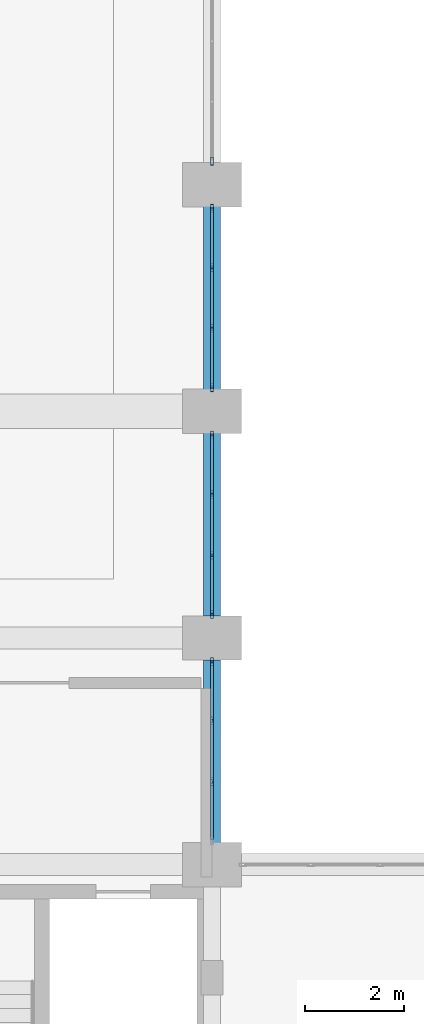
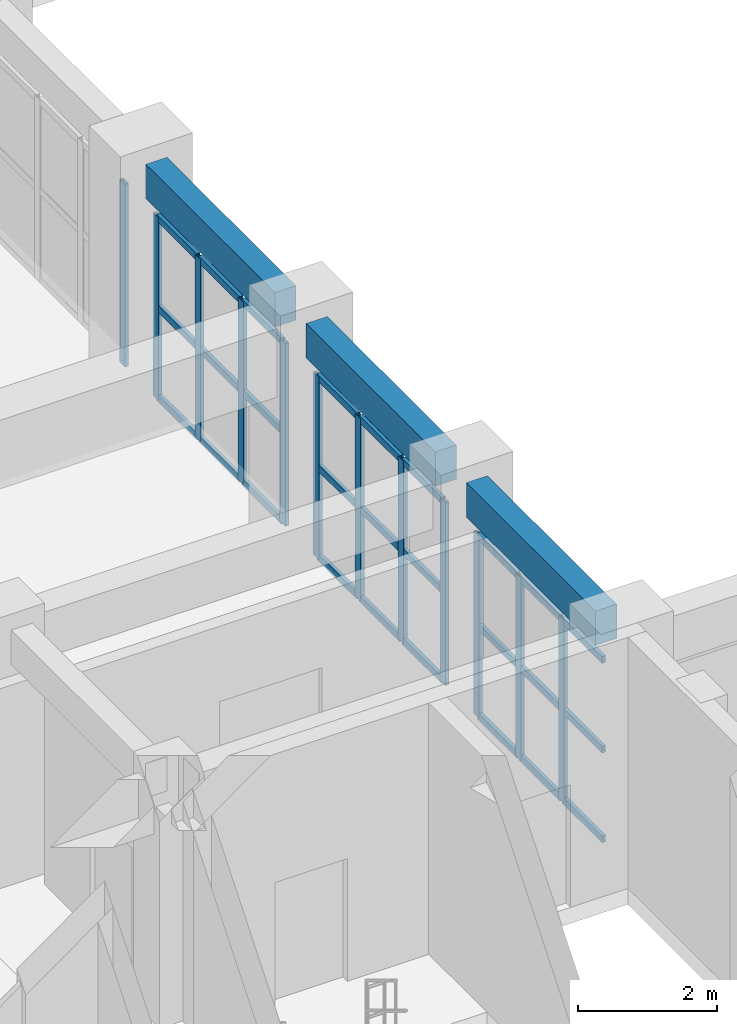
# One storey, part 63 of 116: 39 members, 3 beams, 4 elements without a shape of their own.
"""IFC4 building model written with IfcOpenShell, lengths in metres."""

from ifc_helpers import new_model, si_unit, direction, frame, origin, origin_2d, place, context, subcontext, project, spatial, rectangle, hollow_rectangle, extrude, material, layer, layer_set, material_profile, profile_set, type_object, element, aggregate, save


model = new_model("IFC4")

# Units and contexts
model_context = context("Model", 3, precision=1e-05, world=origin(), true_north=direction((0.0, 1.0)))
body_context = subcontext(model_context, "Body", "Model", "MODEL_VIEW")
ifc_project = project(units=[si_unit("LENGTHUNIT", "METRE"), si_unit("AREAUNIT", "SQUARE_METRE"), si_unit("VOLUMEUNIT", "CUBIC_METRE"), si_unit("PLANEANGLEUNIT", "RADIAN"), si_unit("MASSUNIT", "GRAM", prefix="KILO")], contexts=[model_context])

# Site, building, storey
site_placement = place(None, origin())
site = spatial("IfcSite", under=ifc_project, at=site_placement, CompositionType="ELEMENT")
building_placement = place(site_placement, origin())
building = spatial("IfcBuilding", under=site, at=building_placement, Name="Muzn Square Opera House", CompositionType="ELEMENT")
storey_placement = place(building_placement, frame((0.0, 0.0, 5.39990234375)))
storey = spatial("IfcBuildingStorey", under=building, at=storey_placement, Name="L01", CompositionType="ELEMENT", Elevation=5.39990234375)

# Curtain wall, members
ifc_material_1 = material(Name="Low-E laminated acoustic double glazing", Category="glass")
ifc_layer = layer(ifc_material_1, 0.159912109375, Name="Low-E laminated acoustic double glazing", Category="glass")
ifc_layer_set = layer_set([ifc_layer], Name="Low-E laminated acoustic double glazing")
curtain_wall_type = type_object("IfcCurtainWallType", Name="Glazed Curtain Wall EastVaultCourt 3700x3200", PredefinedType="USERDEFINED", material=ifc_layer_set)
curtain_wall_1_placement = place(storey_placement, origin())
curtain_wall_1 = element("IfcCurtainWall", 1, at=curtain_wall_1_placement, inside=storey, type_object=curtain_wall_type, Name="Glazed Curtain Wall CW-L01-040", ObjectType="GLAZED CURTAIN WALL", PredefinedType="USERDEFINED")
ifc_material_2 = material(Name="Anodised bronze aluminium 6063-T6", Category="metal")
ifc_material_profile_1 = material_profile(ifc_material_2, hollow_rectangle(XDim=0.06005859375, YDim=0.159912109375, WallThickness=0.00390625, at=origin_2d()), Name="ALU 160x60x4", Category="metal")
ifc_profile_set_1 = profile_set([ifc_material_profile_1], Name="Anodised bronze aluminium 6063-T6")
member_type_1 = type_object("IfcMemberType", Name="Curtain Wall Mullion 160x60", PredefinedType="MULLION", material=ifc_profile_set_1)
member_1_placement = place(storey_placement, frame((133.0, 32.88330078125, 0.0), z_axis=(0.0, 0.0, 1.0), x_axis=(-1.0, 0.0, 0.0)))
member_1 = element("IfcMember", 2, at=member_1_placement, type_object=member_type_1, Name="CW-EVC-37x32 mullion 2", PredefinedType="MULLION", context=body_context, shape_type="SweptSolid", body=[
    extrude(hollow_rectangle(XDim=0.06005859375, YDim=0.159912109375, WallThickness=0.00390625, at=origin_2d()), origin(), (0.0, 0.0, 1.0), 3.2001953125),
])
member_2_placement = place(storey_placement, frame((133.0, 34.11669921875, 0.0), z_axis=(0.0, 0.0, 1.0), x_axis=(-1.0, 0.0, 0.0)))
member_2 = element("IfcMember", 3, at=member_2_placement, type_object=member_type_1, Name="CW-EVC-37x32 mullion 3", PredefinedType="MULLION", context=body_context, shape_type="SweptSolid", body=[
    extrude(hollow_rectangle(XDim=0.06005859375, YDim=0.159912109375, WallThickness=0.00390625, at=origin_2d()), origin(), (0.0, 0.0, 1.0), 3.2001953125),
])
member_3_placement = place(storey_placement, frame((133.0, 35.320068359375, 0.0), z_axis=(0.0, 0.0, 1.0), x_axis=(-1.0, 0.0, 0.0)))
member_3 = element("IfcMember", 4, at=member_3_placement, type_object=member_type_1, Name="CW-EVC-37x32 mullion 4", PredefinedType="MULLION", context=body_context, shape_type="SweptSolid", body=[
    extrude(hollow_rectangle(XDim=0.06005859375, YDim=0.159912109375, WallThickness=0.00390625, at=origin_2d()), origin(), (0.0, 0.0, 1.0), 3.2001953125),
])

curtain_wall_2_placement = place(storey_placement, origin())
curtain_wall_2 = element("IfcCurtainWall", 5, at=curtain_wall_2_placement, inside=storey, type_object=curtain_wall_type, Name="Glazed Curtain Wall CW-L01-042", ObjectType="GLAZED CURTAIN WALL", PredefinedType="USERDEFINED")
member_4_placement = place(storey_placement, frame((133.0, 36.280029296875, 0.0), z_axis=(0.0, 0.0, 1.0), x_axis=(-1.0, 0.0, 0.0)))
member_4 = element("IfcMember", 6, at=member_4_placement, type_object=member_type_1, Name="CW-EVC-37x32 mullion 1", PredefinedType="MULLION", context=body_context, shape_type="SweptSolid", body=[
    extrude(hollow_rectangle(XDim=0.06005859375, YDim=0.159912109375, WallThickness=0.00390625, at=origin_2d()), origin(), (0.0, 0.0, 1.0), 3.2001953125),
])
member_5_placement = place(storey_placement, frame((133.0, 37.4833984375, 0.0), z_axis=(0.0, 0.0, 1.0), x_axis=(-1.0, 0.0, 0.0)))
member_5 = element("IfcMember", 7, at=member_5_placement, type_object=member_type_1, Name="CW-EVC-37x32 mullion 2", PredefinedType="MULLION", context=body_context, shape_type="SweptSolid", body=[
    extrude(hollow_rectangle(XDim=0.06005859375, YDim=0.159912109375, WallThickness=0.00390625, at=origin_2d()), origin(), (0.0, 0.0, 1.0), 3.2001953125),
])
member_6_placement = place(storey_placement, frame((133.0, 38.716552734375, 0.0), z_axis=(0.0, 0.0, 1.0), x_axis=(-1.0, 0.0, 0.0)))
member_6 = element("IfcMember", 8, at=member_6_placement, type_object=member_type_1, Name="CW-EVC-37x32 mullion 3", PredefinedType="MULLION", context=body_context, shape_type="SweptSolid", body=[
    extrude(hollow_rectangle(XDim=0.06005859375, YDim=0.159912109375, WallThickness=0.00390625, at=origin_2d()), origin(), (0.0, 0.0, 1.0), 3.2001953125),
])
member_7_placement = place(storey_placement, frame((133.0, 39.919921875, 0.0), z_axis=(0.0, 0.0, 1.0), x_axis=(-1.0, 0.0, 0.0)))
member_7 = element("IfcMember", 9, at=member_7_placement, type_object=member_type_1, Name="CW-EVC-37x32 mullion 4", PredefinedType="MULLION", context=body_context, shape_type="SweptSolid", body=[
    extrude(hollow_rectangle(XDim=0.06005859375, YDim=0.159912109375, WallThickness=0.00390625, at=origin_2d()), origin(), (0.0, 0.0, 1.0), 3.2001953125),
])

curtain_wall_3_placement = place(storey_placement, origin())
curtain_wall_3 = element("IfcCurtainWall", 10, at=curtain_wall_3_placement, inside=storey, type_object=curtain_wall_type, Name="Glazed Curtain Wall CW-L01-044", ObjectType="GLAZED CURTAIN WALL", PredefinedType="USERDEFINED")
member_8_placement = place(storey_placement, frame((133.0, 40.8798828125, 0.0), z_axis=(0.0, 0.0, 1.0), x_axis=(-1.0, 0.0, 0.0)))
member_8 = element("IfcMember", 11, at=member_8_placement, type_object=member_type_1, Name="CW-EVC-37x32 mullion 1", PredefinedType="MULLION", context=body_context, shape_type="SweptSolid", body=[
    extrude(hollow_rectangle(XDim=0.06005859375, YDim=0.159912109375, WallThickness=0.00390625, at=origin_2d()), origin(), (0.0, 0.0, 1.0), 3.2001953125),
])
member_9_placement = place(storey_placement, frame((133.0, 42.083251953125, 0.0), z_axis=(0.0, 0.0, 1.0), x_axis=(-1.0, 0.0, 0.0)))
member_9 = element("IfcMember", 12, at=member_9_placement, type_object=member_type_1, Name="CW-EVC-37x32 mullion 2", PredefinedType="MULLION", context=body_context, shape_type="SweptSolid", body=[
    extrude(hollow_rectangle(XDim=0.06005859375, YDim=0.159912109375, WallThickness=0.00390625, at=origin_2d()), origin(), (0.0, 0.0, 1.0), 3.2001953125),
])
member_10_placement = place(storey_placement, frame((133.0, 43.316650390625, 0.0), z_axis=(0.0, 0.0, 1.0), x_axis=(-1.0, 0.0, 0.0)))
member_10 = element("IfcMember", 13, at=member_10_placement, type_object=member_type_1, Name="CW-EVC-37x32 mullion 3", PredefinedType="MULLION", context=body_context, shape_type="SweptSolid", body=[
    extrude(hollow_rectangle(XDim=0.06005859375, YDim=0.159912109375, WallThickness=0.00390625, at=origin_2d()), origin(), (0.0, 0.0, 1.0), 3.2001953125),
])
member_11_placement = place(storey_placement, frame((133.0, 44.52001953125, 0.0), z_axis=(0.0, 0.0, 1.0), x_axis=(-1.0, 0.0, 0.0)))
member_11 = element("IfcMember", 14, at=member_11_placement, type_object=member_type_1, Name="CW-EVC-37x32 mullion 4", PredefinedType="MULLION", context=body_context, shape_type="SweptSolid", body=[
    extrude(hollow_rectangle(XDim=0.06005859375, YDim=0.159912109375, WallThickness=0.00390625, at=origin_2d()), origin(), (0.0, 0.0, 1.0), 3.2001953125),
])

# Curtain wall, member
curtain_wall_4_placement = place(storey_placement, origin())
curtain_wall_4 = element("IfcCurtainWall", 15, at=curtain_wall_4_placement, inside=storey, type_object=curtain_wall_type, Name="Glazed Curtain Wall CW-L01-046", ObjectType="GLAZED CURTAIN WALL", PredefinedType="USERDEFINED")
member_12_placement = place(storey_placement, frame((133.0, 45.47998046875, 0.0), z_axis=(0.0, 0.0, 1.0), x_axis=(-1.0, 0.0, 0.0)))
member_12 = element("IfcMember", 16, at=member_12_placement, type_object=member_type_1, Name="CW-EVC-37x32 mullion 1", PredefinedType="MULLION", context=body_context, shape_type="SweptSolid", body=[
    extrude(hollow_rectangle(XDim=0.06005859375, YDim=0.159912109375, WallThickness=0.00390625, at=origin_2d()), origin(), (0.0, 0.0, 1.0), 3.2001953125),
])
aggregate(curtain_wall_4, [member_12])

# Member
ifc_material_profile_2 = material_profile(ifc_material_2, hollow_rectangle(XDim=0.06005859375, YDim=0.1201171875, WallThickness=0.00390625, at=origin_2d()), Name="ALU 120x60x4", Category="metal")
ifc_profile_set_2 = profile_set([ifc_material_profile_2], Name="Anodised bronze aluminium 6063-T6")
member_type_2 = type_object("IfcMemberType", Name="Curtain Wall Transom 120x60", PredefinedType="USERDEFINED", material=ifc_profile_set_2)
member_13_placement = place(storey_placement, frame((133.0, 31.7099609375, 0.030029296875), z_axis=(0.0, 1.0, 0.0), x_axis=(-1.0, 0.0, 0.0)))
member_13 = element("IfcMember", 17, at=member_13_placement, type_object=member_type_2, Name="CW-EVC-37x32 transom 1.1", ObjectType="TRANSOM", PredefinedType="USERDEFINED", context=body_context, shape_type="SweptSolid", body=[
    extrude(hollow_rectangle(XDim=0.06005859375, YDim=0.1201171875, WallThickness=0.00390625, at=origin_2d()), origin(), (0.0, 0.0, 1.0), 1.143310546875),
])

member_14_placement = place(storey_placement, frame((133.0, 31.7099609375, 1.60009765625), z_axis=(0.0, 1.0, 0.0), x_axis=(-1.0, 0.0, 0.0)))
member_14 = element("IfcMember", 18, at=member_14_placement, type_object=member_type_2, Name="CW-EVC-37x32 transom 1.2", ObjectType="TRANSOM", PredefinedType="USERDEFINED", context=body_context, shape_type="SweptSolid", body=[
    extrude(hollow_rectangle(XDim=0.06005859375, YDim=0.1201171875, WallThickness=0.00390625, at=origin_2d()), origin(), (0.0, 0.0, 1.0), 1.143310546875),
])

member_15_placement = place(storey_placement, frame((133.0, 31.7099609375, 3.170166015625), z_axis=(0.0, 1.0, 0.0), x_axis=(-1.0, 0.0, 0.0)))
member_15 = element("IfcMember", 19, at=member_15_placement, type_object=member_type_2, Name="CW-EVC-37x32 transom 1.3", ObjectType="TRANSOM", PredefinedType="USERDEFINED", context=body_context, shape_type="SweptSolid", body=[
    extrude(hollow_rectangle(XDim=0.06005859375, YDim=0.1201171875, WallThickness=0.00390625, at=origin_2d()), origin(), (0.0, 0.0, 1.0), 1.143310546875),
])

member_16_placement = place(storey_placement, frame((133.0, 32.913330078125, 0.030029296875), z_axis=(0.0, 1.0, 0.0), x_axis=(-1.0, 0.0, 0.0)))
member_16 = element("IfcMember", 20, at=member_16_placement, type_object=member_type_2, Name="CW-EVC-37x32 transom 2.1", ObjectType="TRANSOM", PredefinedType="USERDEFINED", context=body_context, shape_type="SweptSolid", body=[
    extrude(hollow_rectangle(XDim=0.06005859375, YDim=0.1201171875, WallThickness=0.00390625, at=origin_2d()), origin(), (0.0, 0.0, 1.0), 1.17333984375),
])

member_17_placement = place(storey_placement, frame((133.0, 32.913330078125, 1.60009765625), z_axis=(0.0, 1.0, 0.0), x_axis=(-1.0, 0.0, 0.0)))
member_17 = element("IfcMember", 21, at=member_17_placement, type_object=member_type_2, Name="CW-EVC-37x32 transom 2.2", ObjectType="TRANSOM", PredefinedType="USERDEFINED", context=body_context, shape_type="SweptSolid", body=[
    extrude(hollow_rectangle(XDim=0.06005859375, YDim=0.1201171875, WallThickness=0.00390625, at=origin_2d()), origin(), (0.0, 0.0, 1.0), 1.17333984375),
])

member_18_placement = place(storey_placement, frame((133.0, 32.913330078125, 3.170166015625), z_axis=(0.0, 1.0, 0.0), x_axis=(-1.0, 0.0, 0.0)))
member_18 = element("IfcMember", 22, at=member_18_placement, type_object=member_type_2, Name="CW-EVC-37x32 transom 2.3", ObjectType="TRANSOM", PredefinedType="USERDEFINED", context=body_context, shape_type="SweptSolid", body=[
    extrude(hollow_rectangle(XDim=0.06005859375, YDim=0.1201171875, WallThickness=0.00390625, at=origin_2d()), origin(), (0.0, 0.0, 1.0), 1.17333984375),
])

member_19_placement = place(storey_placement, frame((133.0, 34.146728515625, 0.030029296875), z_axis=(0.0, 1.0, 0.0), x_axis=(-1.0, 0.0, 0.0)))
member_19 = element("IfcMember", 23, at=member_19_placement, type_object=member_type_2, Name="CW-EVC-37x32 transom 3.1", ObjectType="TRANSOM", PredefinedType="USERDEFINED", context=body_context, shape_type="SweptSolid", body=[
    extrude(hollow_rectangle(XDim=0.06005859375, YDim=0.1201171875, WallThickness=0.00390625, at=origin_2d()), origin(), (0.0, 0.0, 1.0), 1.143310546875),
])

member_20_placement = place(storey_placement, frame((133.0, 34.146728515625, 1.60009765625), z_axis=(0.0, 1.0, 0.0), x_axis=(-1.0, 0.0, 0.0)))
member_20 = element("IfcMember", 24, at=member_20_placement, type_object=member_type_2, Name="CW-EVC-37x32 transom 3.2", ObjectType="TRANSOM", PredefinedType="USERDEFINED", context=body_context, shape_type="SweptSolid", body=[
    extrude(hollow_rectangle(XDim=0.06005859375, YDim=0.1201171875, WallThickness=0.00390625, at=origin_2d()), origin(), (0.0, 0.0, 1.0), 1.143310546875),
])

member_21_placement = place(storey_placement, frame((133.0, 34.146728515625, 3.170166015625), z_axis=(0.0, 1.0, 0.0), x_axis=(-1.0, 0.0, 0.0)))
member_21 = element("IfcMember", 25, at=member_21_placement, type_object=member_type_2, Name="CW-EVC-37x32 transom 3.3", ObjectType="TRANSOM", PredefinedType="USERDEFINED", context=body_context, shape_type="SweptSolid", body=[
    extrude(hollow_rectangle(XDim=0.06005859375, YDim=0.1201171875, WallThickness=0.00390625, at=origin_2d()), origin(), (0.0, 0.0, 1.0), 1.143310546875),
])

aggregate(curtain_wall_1, [member_1, member_2, member_3, member_13, member_14, member_15, member_16, member_17, member_18, member_19, member_20, member_21])

member_22_placement = place(storey_placement, frame((133.0, 36.31005859375, 0.030029296875), z_axis=(0.0, 1.0, 0.0), x_axis=(-1.0, 0.0, 0.0)))
member_22 = element("IfcMember", 26, at=member_22_placement, type_object=member_type_2, Name="CW-EVC-37x32 transom 1.1", ObjectType="TRANSOM", PredefinedType="USERDEFINED", context=body_context, shape_type="SweptSolid", body=[
    extrude(hollow_rectangle(XDim=0.06005859375, YDim=0.1201171875, WallThickness=0.00390625, at=origin_2d()), origin(), (0.0, 0.0, 1.0), 1.143310546875),
])

member_23_placement = place(storey_placement, frame((133.0, 36.31005859375, 1.60009765625), z_axis=(0.0, 1.0, 0.0), x_axis=(-1.0, 0.0, 0.0)))
member_23 = element("IfcMember", 27, at=member_23_placement, type_object=member_type_2, Name="CW-EVC-37x32 transom 1.2", ObjectType="TRANSOM", PredefinedType="USERDEFINED", context=body_context, shape_type="SweptSolid", body=[
    extrude(hollow_rectangle(XDim=0.06005859375, YDim=0.1201171875, WallThickness=0.00390625, at=origin_2d()), origin(), (0.0, 0.0, 1.0), 1.143310546875),
])

member_24_placement = place(storey_placement, frame((133.0, 36.31005859375, 3.170166015625), z_axis=(0.0, 1.0, 0.0), x_axis=(-1.0, 0.0, 0.0)))
member_24 = element("IfcMember", 28, at=member_24_placement, type_object=member_type_2, Name="CW-EVC-37x32 transom 1.3", ObjectType="TRANSOM", PredefinedType="USERDEFINED", context=body_context, shape_type="SweptSolid", body=[
    extrude(hollow_rectangle(XDim=0.06005859375, YDim=0.1201171875, WallThickness=0.00390625, at=origin_2d()), origin(), (0.0, 0.0, 1.0), 1.143310546875),
])

member_25_placement = place(storey_placement, frame((133.0, 37.513427734375, 0.030029296875), z_axis=(0.0, 1.0, 0.0), x_axis=(-1.0, 0.0, 0.0)))
member_25 = element("IfcMember", 29, at=member_25_placement, type_object=member_type_2, Name="CW-EVC-37x32 transom 2.1", ObjectType="TRANSOM", PredefinedType="USERDEFINED", context=body_context, shape_type="SweptSolid", body=[
    extrude(hollow_rectangle(XDim=0.06005859375, YDim=0.1201171875, WallThickness=0.00390625, at=origin_2d()), origin(), (0.0, 0.0, 1.0), 1.17333984375),
])

member_26_placement = place(storey_placement, frame((133.0, 37.513427734375, 1.60009765625), z_axis=(0.0, 1.0, 0.0), x_axis=(-1.0, 0.0, 0.0)))
member_26 = element("IfcMember", 30, at=member_26_placement, type_object=member_type_2, Name="CW-EVC-37x32 transom 2.2", ObjectType="TRANSOM", PredefinedType="USERDEFINED", context=body_context, shape_type="SweptSolid", body=[
    extrude(hollow_rectangle(XDim=0.06005859375, YDim=0.1201171875, WallThickness=0.00390625, at=origin_2d()), origin(), (0.0, 0.0, 1.0), 1.17333984375),
])

member_27_placement = place(storey_placement, frame((133.0, 37.513427734375, 3.170166015625), z_axis=(0.0, 1.0, 0.0), x_axis=(-1.0, 0.0, 0.0)))
member_27 = element("IfcMember", 31, at=member_27_placement, type_object=member_type_2, Name="CW-EVC-37x32 transom 2.3", ObjectType="TRANSOM", PredefinedType="USERDEFINED", context=body_context, shape_type="SweptSolid", body=[
    extrude(hollow_rectangle(XDim=0.06005859375, YDim=0.1201171875, WallThickness=0.00390625, at=origin_2d()), origin(), (0.0, 0.0, 1.0), 1.17333984375),
])

member_28_placement = place(storey_placement, frame((133.0, 38.74658203125, 0.030029296875), z_axis=(0.0, 1.0, 0.0), x_axis=(-1.0, 0.0, 0.0)))
member_28 = element("IfcMember", 32, at=member_28_placement, type_object=member_type_2, Name="CW-EVC-37x32 transom 3.1", ObjectType="TRANSOM", PredefinedType="USERDEFINED", context=body_context, shape_type="SweptSolid", body=[
    extrude(hollow_rectangle(XDim=0.06005859375, YDim=0.1201171875, WallThickness=0.00390625, at=origin_2d()), origin(), (0.0, 0.0, 1.0), 1.143310546875),
])

member_29_placement = place(storey_placement, frame((133.0, 38.74658203125, 1.60009765625), z_axis=(0.0, 1.0, 0.0), x_axis=(-1.0, 0.0, 0.0)))
member_29 = element("IfcMember", 33, at=member_29_placement, type_object=member_type_2, Name="CW-EVC-37x32 transom 3.2", ObjectType="TRANSOM", PredefinedType="USERDEFINED", context=body_context, shape_type="SweptSolid", body=[
    extrude(hollow_rectangle(XDim=0.06005859375, YDim=0.1201171875, WallThickness=0.00390625, at=origin_2d()), origin(), (0.0, 0.0, 1.0), 1.143310546875),
])

member_30_placement = place(storey_placement, frame((133.0, 38.74658203125, 3.170166015625), z_axis=(0.0, 1.0, 0.0), x_axis=(-1.0, 0.0, 0.0)))
member_30 = element("IfcMember", 34, at=member_30_placement, type_object=member_type_2, Name="CW-EVC-37x32 transom 3.3", ObjectType="TRANSOM", PredefinedType="USERDEFINED", context=body_context, shape_type="SweptSolid", body=[
    extrude(hollow_rectangle(XDim=0.06005859375, YDim=0.1201171875, WallThickness=0.00390625, at=origin_2d()), origin(), (0.0, 0.0, 1.0), 1.143310546875),
])

aggregate(curtain_wall_2, [member_4, member_5, member_6, member_7, member_22, member_23, member_24, member_25, member_26, member_27, member_28, member_29, member_30])

member_31_placement = place(storey_placement, frame((133.0, 40.909912109375, 0.030029296875), z_axis=(0.0, 1.0, 0.0), x_axis=(-1.0, 0.0, 0.0)))
member_31 = element("IfcMember", 35, at=member_31_placement, type_object=member_type_2, Name="CW-EVC-37x32 transom 1.1", ObjectType="TRANSOM", PredefinedType="USERDEFINED", context=body_context, shape_type="SweptSolid", body=[
    extrude(hollow_rectangle(XDim=0.06005859375, YDim=0.1201171875, WallThickness=0.00390625, at=origin_2d()), origin(), (0.0, 0.0, 1.0), 1.143310546875),
])

member_32_placement = place(storey_placement, frame((133.0, 40.909912109375, 1.60009765625), z_axis=(0.0, 1.0, 0.0), x_axis=(-1.0, 0.0, 0.0)))
member_32 = element("IfcMember", 36, at=member_32_placement, type_object=member_type_2, Name="CW-EVC-37x32 transom 1.2", ObjectType="TRANSOM", PredefinedType="USERDEFINED", context=body_context, shape_type="SweptSolid", body=[
    extrude(hollow_rectangle(XDim=0.06005859375, YDim=0.1201171875, WallThickness=0.00390625, at=origin_2d()), origin(), (0.0, 0.0, 1.0), 1.143310546875),
])

member_33_placement = place(storey_placement, frame((133.0, 40.909912109375, 3.170166015625), z_axis=(0.0, 1.0, 0.0), x_axis=(-1.0, 0.0, 0.0)))
member_33 = element("IfcMember", 37, at=member_33_placement, type_object=member_type_2, Name="CW-EVC-37x32 transom 1.3", ObjectType="TRANSOM", PredefinedType="USERDEFINED", context=body_context, shape_type="SweptSolid", body=[
    extrude(hollow_rectangle(XDim=0.06005859375, YDim=0.1201171875, WallThickness=0.00390625, at=origin_2d()), origin(), (0.0, 0.0, 1.0), 1.143310546875),
])

member_34_placement = place(storey_placement, frame((133.0, 42.11328125, 0.030029296875), z_axis=(0.0, 1.0, 0.0), x_axis=(-1.0, 0.0, 0.0)))
member_34 = element("IfcMember", 38, at=member_34_placement, type_object=member_type_2, Name="CW-EVC-37x32 transom 2.1", ObjectType="TRANSOM", PredefinedType="USERDEFINED", context=body_context, shape_type="SweptSolid", body=[
    extrude(hollow_rectangle(XDim=0.06005859375, YDim=0.1201171875, WallThickness=0.00390625, at=origin_2d()), origin(), (0.0, 0.0, 1.0), 1.17333984375),
])

member_35_placement = place(storey_placement, frame((133.0, 42.11328125, 1.60009765625), z_axis=(0.0, 1.0, 0.0), x_axis=(-1.0, 0.0, 0.0)))
member_35 = element("IfcMember", 39, at=member_35_placement, type_object=member_type_2, Name="CW-EVC-37x32 transom 2.2", ObjectType="TRANSOM", PredefinedType="USERDEFINED", context=body_context, shape_type="SweptSolid", body=[
    extrude(hollow_rectangle(XDim=0.06005859375, YDim=0.1201171875, WallThickness=0.00390625, at=origin_2d()), origin(), (0.0, 0.0, 1.0), 1.17333984375),
])

member_36_placement = place(storey_placement, frame((133.0, 42.11328125, 3.170166015625), z_axis=(0.0, 1.0, 0.0), x_axis=(-1.0, 0.0, 0.0)))
member_36 = element("IfcMember", 40, at=member_36_placement, type_object=member_type_2, Name="CW-EVC-37x32 transom 2.3", ObjectType="TRANSOM", PredefinedType="USERDEFINED", context=body_context, shape_type="SweptSolid", body=[
    extrude(hollow_rectangle(XDim=0.06005859375, YDim=0.1201171875, WallThickness=0.00390625, at=origin_2d()), origin(), (0.0, 0.0, 1.0), 1.17333984375),
])

member_37_placement = place(storey_placement, frame((133.0, 43.3466796875, 0.030029296875), z_axis=(0.0, 1.0, 0.0), x_axis=(-1.0, 0.0, 0.0)))
member_37 = element("IfcMember", 41, at=member_37_placement, type_object=member_type_2, Name="CW-EVC-37x32 transom 3.1", ObjectType="TRANSOM", PredefinedType="USERDEFINED", context=body_context, shape_type="SweptSolid", body=[
    extrude(hollow_rectangle(XDim=0.06005859375, YDim=0.1201171875, WallThickness=0.00390625, at=origin_2d()), origin(), (0.0, 0.0, 1.0), 1.143310546875),
])

member_38_placement = place(storey_placement, frame((133.0, 43.3466796875, 1.60009765625), z_axis=(0.0, 1.0, 0.0), x_axis=(-1.0, 0.0, 0.0)))
member_38 = element("IfcMember", 42, at=member_38_placement, type_object=member_type_2, Name="CW-EVC-37x32 transom 3.2", ObjectType="TRANSOM", PredefinedType="USERDEFINED", context=body_context, shape_type="SweptSolid", body=[
    extrude(hollow_rectangle(XDim=0.06005859375, YDim=0.1201171875, WallThickness=0.00390625, at=origin_2d()), origin(), (0.0, 0.0, 1.0), 1.143310546875),
])

member_39_placement = place(storey_placement, frame((133.0, 43.3466796875, 3.170166015625), z_axis=(0.0, 1.0, 0.0), x_axis=(-1.0, 0.0, 0.0)))
member_39 = element("IfcMember", 43, at=member_39_placement, type_object=member_type_2, Name="CW-EVC-37x32 transom 3.3", ObjectType="TRANSOM", PredefinedType="USERDEFINED", context=body_context, shape_type="SweptSolid", body=[
    extrude(hollow_rectangle(XDim=0.06005859375, YDim=0.1201171875, WallThickness=0.00390625, at=origin_2d()), origin(), (0.0, 0.0, 1.0), 1.143310546875),
])

aggregate(curtain_wall_3, [member_8, member_9, member_10, member_11, member_31, member_32, member_33, member_34, member_35, member_36, member_37, member_38, member_39])

# Beams
ifc_material_3 = material(Name="Concrete C40/50", Category="concrete")
ifc_material_profile_3 = material_profile(ifc_material_3, rectangle(XDim=0.35009765625, YDim=0.60009765625, at=origin_2d()), Name="RCB 350x600", Category="concrete")
ifc_profile_set_3 = profile_set([ifc_material_profile_3], Name="Concrete C40/50")
beam_type = type_object("IfcBeamType", Name="Primary Girder 350x600", PredefinedType="BEAM", material=ifc_profile_set_3)
beam_placement = place(storey_placement, frame((133.0, 31.64208984375, 3.820068359375), z_axis=(0.0, 1.0, 0.0), x_axis=(-1.0, 0.0, 0.0)))
element("IfcBeam", 44, at=beam_placement, inside=storey, type_object=beam_type, Name="Primary Girder BM-L01-BM-PG600-1330_316_1330_354-1703", PredefinedType="BEAM", context=body_context, shape_type="SweptSolid", body=[
    extrude(rectangle(XDim=0.35009765625, YDim=0.60009765625, at=origin_2d()), origin(), (0.0, 0.0, 1.0), 3.7158203125),
])
for number, where, z_axis, x_axis, name in (
    (45, (133.0, 36.241943359375, 3.820068359375), (0.0, 1.0, 0.0), (-1.0, 0.0, 0.0), "Primary Girder BM-L01-BM-PG600-1330_362_1330_400-1704"),
    (46, (133.0, 40.842041015625, 3.820068359375), (0.0, 1.0, 0.0), (-1.0, 0.0, 0.0), "Primary Girder BM-L01-BM-PG600-1330_408_1330_446-1705"),
):
    element("IfcBeam", number, at=place(storey_placement, frame(where, z_axis=z_axis, x_axis=x_axis)), inside=storey, type_object=beam_type, Name=name, PredefinedType="BEAM", context=body_context, shape_type="SweptSolid", body=[
        extrude(rectangle(XDim=0.35009765625, YDim=0.60009765625, at=origin_2d()), origin(), (0.0, 0.0, 1.0), 3.716064453125),
    ])

save(model, "model.ifc")
